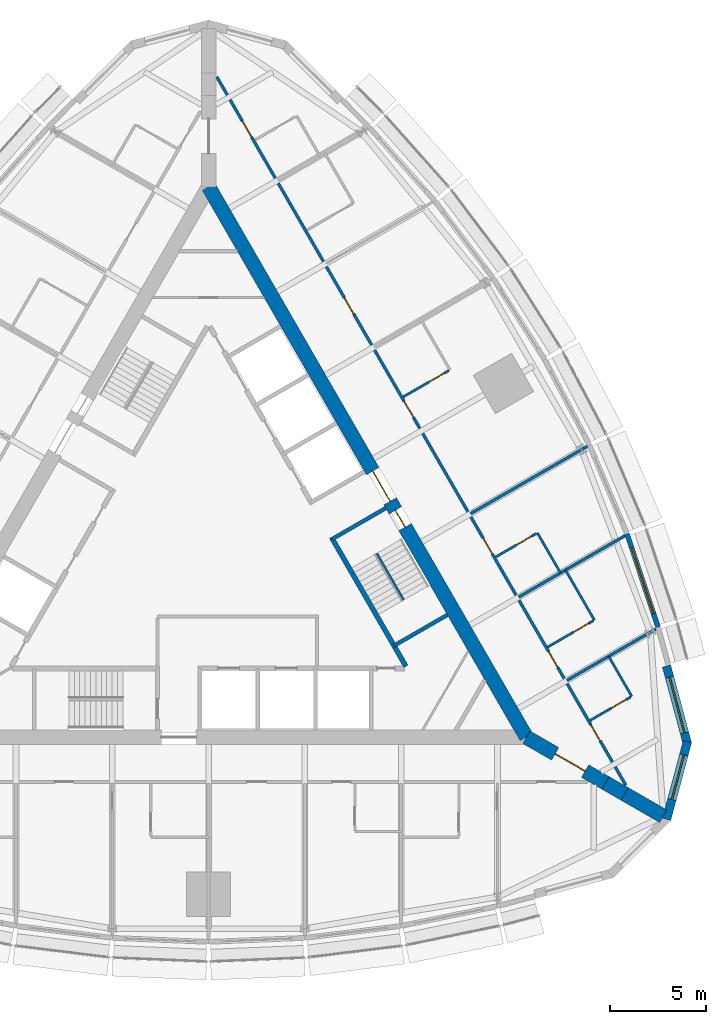
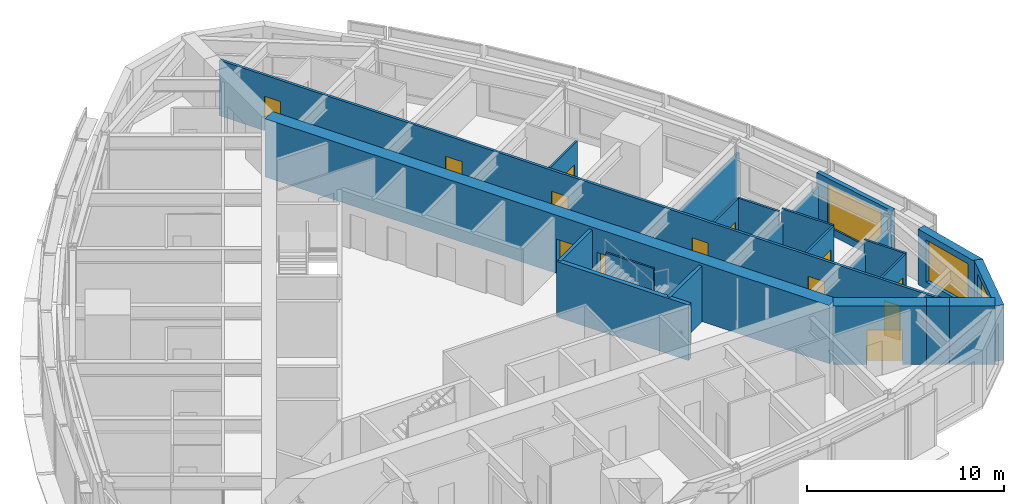
# One storey, part 12 of 15: 22 walls, 13 doors, 3 windows, 16 openings.
"""IFC4 building model written with IfcOpenShell, lengths in metres."""

import ifcopenshell
import ifcopenshell.guid

model = None  # the IFC model being written
_history = None  # IfcOwnerHistory: only IFC2X3 demands one
_inside = {}  # id of a spatial element -> (the spatial element, [elements in it])
_under = {}  # id of a project, library or spatial element -> (it, [spatial elements below it])
_declared = {}  # id of a project -> (the project, [libraries it declares])
_typed = {}  # id of a type object -> (the type object, [elements of that type])
_made_of = {}  # id of a material, layer set ... -> (it, [elements and type objects made of it])


def new_model(schema):
    """Start an empty IFC model of exactly this schema.

    Asked for "IFC4X3", IfcOpenShell would pick the latest addendum, in which some entities
    have other attributes; the version numbers below select the first issue.
    IFC2X3 requires an IfcOwnerHistory on every rooted entity: one is made here for all.
    """
    global model, _history
    if schema == "IFC4X3":
        model = ifcopenshell.file(schema_version=(4, 3, 0, 0))
    else:
        model = ifcopenshell.file(schema=schema)
    _inside.clear()
    _under.clear()
    _declared.clear()
    _typed.clear()
    _made_of.clear()
    _history = None
    if model.schema == "IFC2X3":
        org = make("IfcOrganization", Name="unknown")
        user = make(
            "IfcPersonAndOrganization",
            ThePerson=make("IfcPerson", FamilyName="unknown"),
            TheOrganization=org,
        )
        app = make(
            "IfcApplication",
            ApplicationDeveloper=org,
            Version="unknown",
            ApplicationFullName="unknown",
            ApplicationIdentifier="unknown",
        )
        _history = make(
            "IfcOwnerHistory",
            OwningUser=user,
            OwningApplication=app,
            ChangeAction="ADDED",
            CreationDate=0,
        )
    return model


def make(cls, **values):
    """One entity of the class cls with the attributes given. An attribute that is None is left unset."""
    return model.create_entity(
        cls, **{name: value for name, value in values.items() if value is not None}
    )


def rooted(cls, **values):
    """An entity with a GlobalId (a new one), such as an element, a storey or a relation."""
    return make(cls, GlobalId=ifcopenshell.guid.new(), OwnerHistory=_history, **values)


def si_unit(unit_type, name, prefix=None):
    """IfcSIUnit, for example si_unit("LENGTHUNIT", "METRE", prefix="MILLI")."""
    return make("IfcSIUnit", UnitType=unit_type, Prefix=prefix, Name=name)


def assignment(units):
    """IfcUnitAssignment: the units of a project."""
    return None if units is None else make("IfcUnitAssignment", Units=units)


def point(xyz):
    """IfcCartesianPoint."""
    return None if xyz is None else make("IfcCartesianPoint", Coordinates=xyz)


def direction(xyz):
    """IfcDirection."""
    return None if xyz is None else make("IfcDirection", DirectionRatios=xyz)


def frame(location, z_axis=None, x_axis=None):
    """IfcAxis2Placement3D, a coordinate frame: its origin and axes. An axis left out is left unset."""
    return make(
        "IfcAxis2Placement3D",
        Location=point(location),
        Axis=direction(z_axis),
        RefDirection=direction(x_axis),
    )


def frame_2d(location, x_axis=None):
    """IfcAxis2Placement2D, a coordinate frame in the plane: its origin and x axis."""
    return make(
        "IfcAxis2Placement2D", Location=point(location), RefDirection=direction(x_axis)
    )


def origin():
    """The frame at (0, 0, 0) with its axes left unset."""
    return frame((0.0, 0.0, 0.0))


def place(relative_to, where):
    """IfcLocalPlacement: puts the frame where relative to a parent placement (None: the world)."""
    return make(
        "IfcLocalPlacement", PlacementRelTo=relative_to, RelativePlacement=where
    )


def context(
    kind, dimensions, precision=None, world=None, true_north=None, identifier=None
):
    """IfcGeometricRepresentationContext, for example the 3D "Model" context."""
    return make(
        "IfcGeometricRepresentationContext",
        ContextIdentifier=identifier,
        ContextType=kind,
        CoordinateSpaceDimension=dimensions,
        Precision=precision,
        WorldCoordinateSystem=world,
        TrueNorth=true_north,
    )


def subcontext(parent, identifier, kind, view, scale=None):
    """IfcGeometricRepresentationSubContext, for example "Body" below "Model"."""
    return make(
        "IfcGeometricRepresentationSubContext",
        ContextIdentifier=identifier,
        ContextType=kind,
        ParentContext=parent,
        TargetScale=scale,
        TargetView=view,
    )


def project(units=None, contexts=None):
    """IfcProject with its units and contexts."""
    return rooted(
        "IfcProject",
        Name="project",
        RepresentationContexts=contexts,
        UnitsInContext=assignment(units),
    )


def spatial(cls, under=None, at=None, **own):
    """A site, building, storey or space (cls), placed at a placement, below another one or the project."""
    s = rooted(cls, ObjectPlacement=at, **own)
    if under is not None:
        _under.setdefault(under.id(), (under, []))[1].append(s)
    return s


def polyline(points):
    """IfcPolyline through the points."""
    return make("IfcPolyline", Points=[point(p) for p in points])


def profile(cls, at=None, kind="AREA", **sizes):
    """A parametric profile (cls). Its sizes go by their IFC names, for example OverallWidth=200.0."""
    return make(cls, ProfileType=kind, Position=at, **sizes)


def rectangle(**sizes):
    """IfcRectangleProfileDef."""
    return profile("IfcRectangleProfileDef", **sizes)


def outline(outer, holes=None, kind="AREA"):
    """IfcArbitraryClosedProfileDef: a profile drawn as a closed curve; with holes, ...WithVoids."""
    if holes is None:
        return make("IfcArbitraryClosedProfileDef", ProfileType=kind, OuterCurve=outer)
    return make(
        "IfcArbitraryProfileDefWithVoids",
        ProfileType=kind,
        OuterCurve=outer,
        InnerCurves=holes,
    )


def extrude(swept, where, along, depth):
    """IfcExtrudedAreaSolid: the profile swept, set in the frame where, extruded along a direction by depth."""
    return make(
        "IfcExtrudedAreaSolid",
        SweptArea=swept,
        Position=where,
        ExtrudedDirection=direction(along),
        Depth=depth,
    )


def shape(context_of_items, identifier, shape_type, items):
    """IfcShapeRepresentation: the items that make up one representation, for example the "Body"."""
    return make(
        "IfcShapeRepresentation",
        ContextOfItems=context_of_items,
        RepresentationIdentifier=identifier,
        RepresentationType=shape_type,
        Items=items,
    )


def material(Name=None, Category=None):
    """IfcMaterial."""
    return make("IfcMaterial", Name=Name, Category=Category)


def layer(
    of_material, thickness, ventilated=None, Name=None, Category=None, Priority=None
):
    """IfcMaterialLayer: one layer of a wall or slab, of a material (None: an air gap)."""
    return make(
        "IfcMaterialLayer",
        Material=of_material,
        LayerThickness=thickness,
        IsVentilated=ventilated,
        Name=Name,
        Category=Category,
        Priority=Priority,
    )


def layer_set(layers, Name=None):
    """IfcMaterialLayerSet."""
    return make("IfcMaterialLayerSet", MaterialLayers=layers, LayerSetName=Name)


def made_of(thing, what):
    """Note that an element or type object is made of a material, layer set ...; save() writes the relation."""
    if what is not None:
        _made_of.setdefault(what.id(), (what, []))[1].append(thing)
    return thing


def type_object(cls, material=None, **own):
    """A type object (cls), such as IfcWallType, which elements share."""
    return made_of(rooted(cls, **own), material)


def element(
    cls,
    number,
    at=None,
    inside=None,
    cuts=None,
    type_object=None,
    material=None,
    context=None,
    identifier="Body",
    shape_type=None,
    held_by="IfcProductDefinitionShape",
    body=None,
    shapes=None,
    **own,
):
    """One element of the class cls, such as IfcWall. Its Tag is "e" and its number.

    at: its placement. inside: the storey or other place that contains it. cuts: it is an
    opening in that element (IfcRelVoidsElement). A single representation is given by context,
    identifier, shape_type and body (its items); several are given by shapes. held_by: the class
    of the entity that holds the representations. save() writes the other relations.
    """
    e = rooted(cls, Tag="e%d" % number, ObjectPlacement=at, **own)
    if body is not None:
        shapes = [shape(context, identifier, shape_type, body)]
    if shapes is not None:
        e.Representation = make(held_by, Representations=shapes)
    if inside is not None:
        _inside.setdefault(inside.id(), (inside, []))[1].append(e)
    if cuts is not None:
        rooted(
            "IfcRelVoidsElement", RelatingBuildingElement=cuts, RelatedOpeningElement=e
        )
    if type_object is not None:
        _typed.setdefault(type_object.id(), (type_object, []))[1].append(e)
    return made_of(e, material)


def fill(opening, filler):
    """IfcRelFillsElement: the door or window that sits in an opening."""
    return rooted(
        "IfcRelFillsElement",
        RelatingOpeningElement=opening,
        RelatedBuildingElement=filler,
    )


def aggregate(whole, parts):
    """IfcRelAggregates: a whole, such as a stair, and the parts it consists of."""
    return rooted("IfcRelAggregates", RelatingObject=whole, RelatedObjects=parts)


def save(model, path):
    """Write the relations noted so far, then the file.

    IfcRelAggregates (storeys below a building ...), IfcRelContainedInSpatialStructure (elements
    in a storey), IfcRelDefinesByType, IfcRelAssociatesMaterial and IfcRelDeclares: one each for
    every whole, place, type object, material and project.
    """
    for whole, parts in _under.values():
        aggregate(whole, parts)
    for where, things in _inside.values():
        rooted(
            "IfcRelContainedInSpatialStructure",
            RelatedElements=things,
            RelatingStructure=where,
        )
    for kind, things in _typed.values():
        rooted("IfcRelDefinesByType", RelatedObjects=things, RelatingType=kind)
    for what, things in _made_of.values():
        rooted("IfcRelAssociatesMaterial", RelatedObjects=things, RelatingMaterial=what)
    for by, libraries in _declared.values():
        rooted("IfcRelDeclares", RelatingContext=by, RelatedDefinitions=libraries)
    model.write(path)


model = new_model("IFC4")

# Units and contexts
model_context = context("Model", 3, precision=1e-05, world=origin(), true_north=direction((0.0, 1.0)))
body_context = subcontext(model_context, "Body", "Model", "MODEL_VIEW")
ifc_project = project(units=[si_unit("LENGTHUNIT", "METRE"), si_unit("AREAUNIT", "SQUARE_METRE"), si_unit("VOLUMEUNIT", "CUBIC_METRE"), si_unit("PLANEANGLEUNIT", "RADIAN"), si_unit("MASSUNIT", "GRAM", prefix="KILO")], contexts=[model_context])

# Site, building, storey
site_placement = place(None, origin())
site = spatial("IfcSite", under=ifc_project, at=site_placement, CompositionType="ELEMENT")
building_placement = place(site_placement, origin())
building = spatial("IfcBuilding", under=site, at=building_placement, Name="Trikona Tower", CompositionType="ELEMENT")
storey_placement = place(building_placement, frame((0.0, 0.0, 218.89990234375)))
storey = spatial("IfcBuildingStorey", under=building, at=storey_placement, Name="L58", CompositionType="ELEMENT", Elevation=218.89990234375)

# Wall
ifc_material_1 = material(Name="Metal stud and cement board", Category="gypsum")
ifc_layer_1 = layer(ifc_material_1, 0.1201171875)
ifc_layer_set_1 = layer_set([ifc_layer_1], Name="Bathroom wall 120")
wall_type_1 = type_object("IfcWallType", Name="Bathroom wall 120", PredefinedType="PLUMBINGWALL", material=ifc_layer_set_1)
wall_1_placement = place(storey_placement, frame((21.972900390625, -7.40576171875, 0.0), z_axis=(0.0, 0.0, 1.0), x_axis=(-0.499957262057, 0.866050077142, 0.0)))
element("IfcWall", 1, at=wall_1_placement, inside=storey, type_object=wall_type_1, Name="Bathroom wall 5805", PredefinedType="PLUMBINGWALL", context=body_context, shape_type="SweptSolid", body=[
    extrude(rectangle(XDim=2.400146484375, YDim=0.1201171875, at=frame_2d((1.2001953125, 0.0))), origin(), (0.0, 0.0, 1.0), 3.43505859375),
])

# Wall, opening, door
wall_2_placement = place(storey_placement, frame((19.807861328125, -8.65576171875, 0.0), z_axis=(0.0, 0.0, 1.0), x_axis=(0.866023955769, 0.500002508028, 0.0)))
wall_2 = element("IfcWall", 2, at=wall_2_placement, inside=storey, type_object=wall_type_1, Name="Bathroom wall 5805", PredefinedType="PLUMBINGWALL", context=body_context, shape_type="SweptSolid", body=[
    extrude(rectangle(XDim=2.43994140625, YDim=0.1201171875, at=frame_2d((1.219970703125, 0.0))), origin(), (0.0, 0.0, 1.0), 3.43505859375),
])
opening_1_placement = place(wall_2_placement, frame((1.25, 0.0, 0.0)))
opening_1 = element("IfcOpeningElement", 3, at=opening_1_placement, cuts=wall_2, Name="Opening D2", PredefinedType="OPENING", context=body_context, shape_type="SweptSolid", body=[
    extrude(rectangle(XDim=0.89990234375, YDim=2.1298828125, at=frame_2d((0.449951171875, 1.06494140625))), frame((0.0, 0.070068359375, 0.0), z_axis=(0.0, -1.0, 0.0), x_axis=(1.0, 0.0, 0.0)), (0.0, 0.0, 1.0), 0.14013671875),
])
ifc_material_2 = material(Name="Steel door frame with solid-core timber leaf", Category="steel")
door_type_1 = type_object("IfcDoorType", Name="Bathroom door 900x2130", OperationType="SLIDING_TO_LEFT", PredefinedType="DOOR", material=ifc_material_2)
door_1_placement = place(opening_1_placement, origin())
door_1 = element("IfcDoor", 4, at=door_1_placement, inside=storey, type_object=door_type_1, Name="Bathroom door 5805", OperationType="SLIDING_TO_LEFT", OverallHeight=2.1298828125, OverallWidth=0.89990234375, PredefinedType="DOOR", context=body_context, shape_type="SweptSolid", body=[
    extrude(rectangle(XDim=0.89990234375, YDim=2.1298828125, at=frame_2d((0.449951171875, 1.06494140625))), frame((0.0, 0.02490234375, 0.0), z_axis=(0.0, -1.0, 0.0), x_axis=(1.0, 0.0, 0.0)), (0.0, 0.0, 1.0), 0.050048828125),
])
fill(opening_1, door_1)

# Wall
wall_3_placement = place(storey_placement, frame((20.03271484375, -3.4453125, 0.0), z_axis=(0.0, 0.0, 1.0), x_axis=(-0.499990139034, 0.866031096941, 0.0)))
element("IfcWall", 5, at=wall_3_placement, inside=storey, type_object=wall_type_1, Name="Bathroom wall 5806", PredefinedType="PLUMBINGWALL", context=body_context, shape_type="SweptSolid", body=[
    extrude(rectangle(XDim=3.0, YDim=0.1201171875, at=frame_2d((1.5, 0.0))), origin(), (0.0, 0.0, 1.0), 3.43505859375),
])

# Wall, opening, door
wall_4_placement = place(storey_placement, frame((17.60791015625, -4.84521484375, 0.0), z_axis=(0.0, 0.0, 1.0), x_axis=(0.865997131366, 0.500048966069, 0.0)))
wall_4 = element("IfcWall", 6, at=wall_4_placement, inside=storey, type_object=wall_type_1, Name="Bathroom wall 5806", PredefinedType="PLUMBINGWALL", context=body_context, shape_type="SweptSolid", body=[
    extrude(rectangle(XDim=2.739990234375, YDim=0.1201171875, at=frame_2d((1.3701171875, 0.0))), origin(), (0.0, 0.0, 1.0), 3.43505859375),
])
opening_2_placement = place(wall_4_placement, frame((1.550048828125, 0.0, 0.0)))
opening_2 = element("IfcOpeningElement", 7, at=opening_2_placement, cuts=wall_4, Name="Opening D2", PredefinedType="OPENING", context=body_context, shape_type="SweptSolid", body=[
    extrude(rectangle(XDim=0.89990234375, YDim=2.1298828125, at=frame_2d((0.449951171875, 1.06494140625))), frame((0.0, 0.070068359375, 0.0), z_axis=(0.0, -1.0, 0.0), x_axis=(1.0, 0.0, 0.0)), (0.0, 0.0, 1.0), 0.14013671875),
])
door_2_placement = place(opening_2_placement, origin())
door_2 = element("IfcDoor", 8, at=door_2_placement, inside=storey, type_object=door_type_1, Name="Bathroom door 5806", OperationType="SLIDING_TO_LEFT", OverallHeight=2.1298828125, OverallWidth=0.89990234375, PredefinedType="DOOR", context=body_context, shape_type="SweptSolid", body=[
    extrude(rectangle(XDim=0.89990234375, YDim=2.1298828125, at=frame_2d((0.449951171875, 1.06494140625))), frame((0.0, 0.02490234375, 0.0), z_axis=(0.0, -1.0, 0.0), x_axis=(1.0, 0.0, 0.0)), (0.0, 0.0, 1.0), 0.050048828125),
])
fill(opening_2, door_2)

# Wall
wall_5_placement = place(storey_placement, frame((18.27294921875, -0.9970703125, 0.0), z_axis=(0.0, 0.0, 1.0), x_axis=(-0.500001309137, 0.866024647952, 0.0)))
element("IfcWall", 9, at=wall_5_placement, inside=storey, type_object=wall_type_1, Name="Bathroom wall 5807", PredefinedType="PLUMBINGWALL", context=body_context, shape_type="SweptSolid", body=[
    extrude(rectangle(XDim=2.39990234375, YDim=0.1201171875, at=frame_2d((1.199951171875, 0.0))), origin(), (0.0, 0.0, 1.0), 3.43505859375),
])

# Wall, opening, door
wall_6_placement = place(storey_placement, frame((14.907958984375, -0.168701171875, 0.0), z_axis=(0.0, 0.0, 1.0), x_axis=(0.866023955769, 0.500002508028, 0.0)))
wall_6 = element("IfcWall", 10, at=wall_6_placement, inside=storey, type_object=wall_type_1, Name="Bathroom wall 5807", PredefinedType="PLUMBINGWALL", context=body_context, shape_type="SweptSolid", body=[
    extrude(rectangle(XDim=2.43994140625, YDim=0.1201171875, at=frame_2d((1.219970703125, 0.0))), origin(), (0.0, 0.0, 1.0), 3.43505859375),
])
opening_3_placement = place(wall_6_placement, frame((1.25, 0.0, 0.0)))
opening_3 = element("IfcOpeningElement", 11, at=opening_3_placement, cuts=wall_6, Name="Opening D2", PredefinedType="OPENING", context=body_context, shape_type="SweptSolid", body=[
    extrude(rectangle(XDim=0.89990234375, YDim=2.1298828125, at=frame_2d((0.449951171875, 1.06494140625))), frame((0.0, 0.070068359375, 0.0), z_axis=(0.0, -1.0, 0.0), x_axis=(1.0, 0.0, 0.0)), (0.0, 0.0, 1.0), 0.14013671875),
])
door_3_placement = place(opening_3_placement, origin())
door_3 = element("IfcDoor", 12, at=door_3_placement, inside=storey, type_object=door_type_1, Name="Bathroom door 5807", OperationType="SLIDING_TO_LEFT", OverallHeight=2.1298828125, OverallWidth=0.89990234375, PredefinedType="DOOR", context=body_context, shape_type="SweptSolid", body=[
    extrude(rectangle(XDim=0.89990234375, YDim=2.1298828125, at=frame_2d((0.449951171875, 1.06494140625))), frame((0.0, 0.02490234375, 0.0), z_axis=(0.0, -1.0, 0.0), x_axis=(1.0, 0.0, 0.0)), (0.0, 0.0, 1.0), 0.050048828125),
])
fill(opening_3, door_3)

wall_7_placement = place(storey_placement, frame((10.10791015625, 8.145263671875, 0.0), z_axis=(0.0, 0.0, 1.0), x_axis=(0.866035715982, 0.499982138324, 0.0)))
wall_7 = element("IfcWall", 13, at=wall_7_placement, inside=storey, type_object=wall_type_1, Name="Bathroom wall 5808", PredefinedType="PLUMBINGWALL", context=body_context, shape_type="SweptSolid", body=[
    extrude(rectangle(XDim=2.73974609375, YDim=0.1201171875, at=frame_2d((1.369873046875, 0.0))), origin(), (0.0, 0.0, 1.0), 3.43505859375),
])
opening_4_placement = place(wall_7_placement, frame((1.550048828125, 0.0, 0.0)))
opening_4 = element("IfcOpeningElement", 14, at=opening_4_placement, cuts=wall_7, Name="Opening D2", PredefinedType="OPENING", context=body_context, shape_type="SweptSolid", body=[
    extrude(rectangle(XDim=0.89990234375, YDim=2.1298828125, at=frame_2d((0.449951171875, 1.06494140625))), frame((0.0, 0.070068359375, 0.0), z_axis=(0.0, -1.0, 0.0), x_axis=(1.0, 0.0, 0.0)), (0.0, 0.0, 1.0), 0.14013671875),
])
door_4_placement = place(opening_4_placement, origin())
door_4 = element("IfcDoor", 15, at=door_4_placement, inside=storey, type_object=door_type_1, Name="Bathroom door 5808", OperationType="SLIDING_TO_LEFT", OverallHeight=2.1298828125, OverallWidth=0.89990234375, PredefinedType="DOOR", context=body_context, shape_type="SweptSolid", body=[
    extrude(rectangle(XDim=0.89990234375, YDim=2.1298828125, at=frame_2d((0.449951171875, 1.06494140625))), frame((0.0, 0.02490234375, 0.0), z_axis=(0.0, -1.0, 0.0), x_axis=(1.0, 0.0, 0.0)), (0.0, 0.0, 1.0), 0.050048828125),
])
fill(opening_4, door_4)

# Wall, opening, window
ifc_material_3 = material(Name="Brick-faced precast concrete", Category="masonry")
ifc_layer_2 = layer(ifc_material_3, 0.449951171875)
ifc_layer_set_2 = layer_set([ifc_layer_2], Name="Brick-faced corner wall 450")
wall_type_2 = type_object("IfcWallType", Name="Brick-faced corner wall 450", PredefinedType="SOLIDWALL", material=ifc_layer_set_2)
wall_8_placement = place(storey_placement, frame((23.78271484375, -13.798095703125, 0.0), z_axis=(0.0, 0.0, 1.0), x_axis=(0.258799282522, 0.96593112144, 0.0)))
wall_8 = element("IfcWall", 16, at=wall_8_placement, inside=storey, type_object=wall_type_2, Name="External wall L58-10", PredefinedType="SOLIDWALL", context=body_context, shape_type="SweptSolid", body=[
    extrude(outline(polyline([(4.183837890625, 0.22509765625), (0.5087890625, 0.22509765625), (0.478759765625, 0.112548828125), (0.059326171875, 0.22509765625), (0.0, 0.22509765625), (0.0, -0.22509765625), (4.183837890625, -0.22509765625), (4.183837890625, 0.22509765625)])), origin(), (0.0, 0.0, 1.0), 3.43505859375),
])
opening_5_placement = place(wall_8_placement, frame((1.0712890625, 0.0, 0.449951171875)))
opening_5 = element("IfcOpeningElement", 17, at=opening_5_placement, cuts=wall_8, Name="Opening W2426", PredefinedType="OPENING", context=body_context, shape_type="SweptSolid", body=[
    extrude(rectangle(XDim=2.39990234375, YDim=2.60009765625, at=frame_2d((1.199951171875, 1.300048828125))), frame((0.0, 0.23486328125, 0.0), z_axis=(0.0, -1.0, 0.0), x_axis=(1.0, 0.0, 0.0)), (0.0, 0.0, 1.0), 0.469970703125),
])
ifc_material_4 = material(Name="Aluminium-framed double glazing", Category="aluminium")
window_type_1 = type_object("IfcWindowType", Name="Window 2400x2600", PartitioningType="SINGLE_PANEL", PredefinedType="WINDOW", material=ifc_material_4)
window_1_placement = place(opening_5_placement, origin())
window_1 = element("IfcWindow", 18, at=window_1_placement, inside=storey, type_object=window_type_1, Name="Window 5805", OverallHeight=2.60009765625, OverallWidth=2.39990234375, PartitioningType="SINGLE_PANEL", PredefinedType="WINDOW", context=body_context, shape_type="SweptSolid", body=[
    extrude(rectangle(XDim=2.39990234375, YDim=2.60009765625, at=frame_2d((1.199951171875, 1.300048828125))), frame((0.0, 0.030029296875, 0.0), z_axis=(0.0, -1.0, 0.0), x_axis=(1.0, 0.0, 0.0)), (0.0, 0.0, 1.0), 0.06005859375),
])
fill(opening_5, window_1)

wall_9_placement = place(storey_placement, frame((24.865478515625, -9.873291015625, 0.0), z_axis=(0.0, 0.0, 1.0), x_axis=(-0.258784695888, 0.965935029479, 0.0)))
wall_9 = element("IfcWall", 19, at=wall_9_placement, inside=storey, type_object=wall_type_2, Name="External wall L58-11", PredefinedType="SOLIDWALL", context=body_context, shape_type="SweptSolid", body=[
    extrude(rectangle(XDim=4.18408203125, YDim=0.449951171875, at=frame_2d((2.092041015625, 0.0))), origin(), (0.0, 0.0, 1.0), 3.43505859375),
])
opening_6_placement = place(wall_9_placement, frame((0.592041015625, 0.0, 0.449951171875)))
opening_6 = element("IfcOpeningElement", 20, at=opening_6_placement, cuts=wall_9, Name="Opening W3026", PredefinedType="OPENING", context=body_context, shape_type="SweptSolid", body=[
    extrude(rectangle(XDim=3.0, YDim=2.60009765625, at=frame_2d((1.5, 1.300048828125))), frame((0.0, 0.23486328125, 0.0), z_axis=(0.0, -1.0, 0.0), x_axis=(1.0, 0.0, 0.0)), (0.0, 0.0, 1.0), 0.469970703125),
])
ifc_material_5 = material(Name="Aluminium-framed double glazing", Category="aluminium")
window_type_2 = type_object("IfcWindowType", Name="Window 3000x2600", PartitioningType="SINGLE_PANEL", PredefinedType="WINDOW", material=ifc_material_5)
window_2_placement = place(opening_6_placement, origin())
window_2 = element("IfcWindow", 21, at=window_2_placement, inside=storey, type_object=window_type_2, Name="Window 5805", OverallHeight=2.60009765625, OverallWidth=3.0, PartitioningType="SINGLE_PANEL", PredefinedType="WINDOW", context=body_context, shape_type="SweptSolid", body=[
    extrude(rectangle(XDim=3.0, YDim=2.60009765625, at=frame_2d((1.5, 1.300048828125))), frame((0.0, 0.030029296875, 0.0), z_axis=(0.0, -1.0, 0.0), x_axis=(1.0, 0.0, 0.0)), (0.0, 0.0, 1.0), 0.06005859375),
])
fill(opening_6, window_2)

# Wall, opening, door
ifc_material_6 = material(Name="Concrete f'c 10000 psi", Category="concrete")
ifc_layer_3 = layer(ifc_material_6, 0.75)
ifc_layer_set_3 = layer_set([ifc_layer_3], Name="Buttress wall 750")
wall_type_3 = type_object("IfcWallType", Name="Buttress wall 750", PredefinedType="SHEAR", material=ifc_layer_set_3)
wall_10_placement = place(storey_placement, frame((16.5, -9.5263671875, 0.0), z_axis=(0.0, 0.0, 1.0), x_axis=(0.866031398331, -0.499989616998, 0.0)))
wall_10 = element("IfcWall", 22, at=wall_10_placement, inside=storey, type_object=wall_type_3, Name="Buttress wall 1", PredefinedType="SHEAR", context=body_context, shape_type="SweptSolid", body=[
    extrude(rectangle(XDim=4.74609375, YDim=0.75, at=frame_2d((2.373046875, 0.0))), origin(), (0.0, 0.0, 1.0), 3.60009765625),
])
opening_7_placement = place(wall_10_placement, frame((1.72509765625, 0.0, 0.0)))
opening_7 = element("IfcOpeningElement", 23, at=opening_7_placement, cuts=wall_10, Name="Opening D10", PredefinedType="OPENING", context=body_context, shape_type="SweptSolid", body=[
    extrude(rectangle(XDim=1.800048828125, YDim=2.1298828125, at=frame_2d((0.89990234375, 1.06494140625))), frame((0.0, 0.385009765625, 0.0), z_axis=(0.0, -1.0, 0.0), x_axis=(1.0, 0.0, 0.0)), (0.0, 0.0, 1.0), 0.77001953125),
])
ifc_material_7 = material(Name="Hollow metal door and frame", Category="steel")
door_type_2 = type_object("IfcDoorType", Name="Cross-corridor door pair 1800x2130", OperationType="DOUBLE_DOOR_DOUBLE_SWING", PredefinedType="DOOR", material=ifc_material_7)
door_5_placement = place(opening_7_placement, origin())
door_5 = element("IfcDoor", 24, at=door_5_placement, inside=storey, type_object=door_type_2, Name="Cross-corridor door 1", OperationType="DOUBLE_DOOR_DOUBLE_SWING", OverallHeight=2.1298828125, OverallWidth=1.800048828125, PredefinedType="DOOR", context=body_context, shape_type="SweptSolid", body=[
    extrude(rectangle(XDim=1.800048828125, YDim=2.1298828125, at=frame_2d((0.89990234375, 1.06494140625))), frame((0.0, 0.02490234375, 0.0), z_axis=(0.0, -1.0, 0.0), x_axis=(1.0, 0.0, 0.0)), (0.0, 0.0, 1.0), 0.050048828125),
])
fill(opening_7, door_5)

# Walls
wall_11_placement = place(storey_placement, frame((20.6103515625, -11.8994140625, 0.0), z_axis=(0.0, 0.0, 1.0), x_axis=(0.866009537788, -0.500027479704, 0.0)))
element("IfcWall", 25, at=wall_11_placement, inside=storey, type_object=wall_type_3, Name="Buttress wall 1 part 2", PredefinedType="SHEAR", context=body_context, shape_type="SweptSolid", body=[
    extrude(rectangle(XDim=1.15478515625, YDim=0.75, at=frame_2d((0.577392578125, 0.0))), origin(), (0.0, 0.0, 1.0), 3.60009765625),
])
wall_12_placement = place(storey_placement, frame((21.6103515625, -12.476806640625, 0.0), z_axis=(0.0, 0.0, 1.0), x_axis=(0.866055313784, -0.499948190782, 0.0)))
element("IfcWall", 26, at=wall_12_placement, inside=storey, type_object=wall_type_3, Name="Buttress wall 1 part 3", PredefinedType="SHEAR", context=body_context, shape_type="SweptSolid", body=[
    extrude(rectangle(XDim=2.309326171875, YDim=0.75, at=frame_2d((1.15478515625, 0.0))), origin(), (0.0, 0.0, 1.0), 3.60009765625),
])

# Wall, openings, doors
ifc_material_8 = material(Name="Concrete f'c 10000 psi", Category="concrete")
ifc_layer_4 = layer(ifc_material_8, 0.75)
ifc_layer_set_4 = layer_set([ifc_layer_4], Name="Core wall 750")
wall_type_4 = type_object("IfcWallType", Name="Core wall 750", PredefinedType="SHEAR", material=ifc_layer_set_4)
wall_13_placement = place(storey_placement, frame((16.5, -9.5263671875, 0.0), z_axis=(0.0, 0.0, 1.0), x_axis=(-0.499999749417, 0.866025548458, 0.0)))
wall_13 = element("IfcWall", 27, at=wall_13_placement, inside=storey, type_object=wall_type_4, Name="Core wall B", PredefinedType="SHEAR", context=body_context, shape_type="SweptSolid", body=[
    extrude(rectangle(XDim=33.0, YDim=0.75, at=frame_2d((16.5, 0.0))), origin(), (0.0, 0.0, 1.0), 3.60009765625),
])
opening_8_placement = place(wall_13_placement, frame((14.14990234375, 0.0, 0.0)))
opening_8 = element("IfcOpeningElement", 28, at=opening_8_placement, cuts=wall_13, Name="Opening D6", PredefinedType="OPENING", context=body_context, shape_type="SweptSolid", body=[
    extrude(rectangle(XDim=1.800048828125, YDim=2.1298828125, at=frame_2d((0.89990234375, 1.06494140625))), frame((0.0, 0.385009765625, 0.0), z_axis=(0.0, -1.0, 0.0), x_axis=(1.0, 0.0, 0.0)), (0.0, 0.0, 1.0), 0.77001953125),
])
opening_9_placement = place(wall_13_placement, frame((12.60009765625, 0.0, 0.0)))
opening_9 = element("IfcOpeningElement", 29, at=opening_9_placement, cuts=wall_13, Name="Opening D5", PredefinedType="OPENING", context=body_context, shape_type="SweptSolid", body=[
    extrude(rectangle(XDim=1.0, YDim=2.1298828125, at=frame_2d((0.5, 1.06494140625))), frame((0.0, 0.385009765625, 0.0), z_axis=(0.0, -1.0, 0.0), x_axis=(1.0, 0.0, 0.0)), (0.0, 0.0, 1.0), 0.77001953125),
])
ifc_material_9 = material(Name="Hollow metal door and frame", Category="steel")
door_type_3 = type_object("IfcDoorType", Name="Lobby door pair 1800x2130", OperationType="DOUBLE_DOOR_SINGLE_SWING", PredefinedType="DOOR", material=ifc_material_9)
door_6_placement = place(opening_8_placement, origin())
door_6 = element("IfcDoor", 30, at=door_6_placement, inside=storey, type_object=door_type_3, Name="Lift lobby door B", OperationType="DOUBLE_DOOR_SINGLE_SWING", OverallHeight=2.1298828125, OverallWidth=1.800048828125, PredefinedType="DOOR", context=body_context, shape_type="SweptSolid", body=[
    extrude(rectangle(XDim=1.800048828125, YDim=2.1298828125, at=frame_2d((0.89990234375, 1.06494140625))), frame((0.0, 0.02490234375, 0.0), z_axis=(0.0, -1.0, 0.0), x_axis=(1.0, 0.0, 0.0)), (0.0, 0.0, 1.0), 0.050048828125),
])
fill(opening_8, door_6)
ifc_material_10 = material(Name="Hollow metal door and frame", Category="steel")
door_type_4 = type_object("IfcDoorType", Name="Stair door 1000x2130", OperationType="SINGLE_SWING_LEFT", PredefinedType="DOOR", material=ifc_material_10)
door_7_placement = place(opening_9_placement, origin())
door_7 = element("IfcDoor", 31, at=door_7_placement, inside=storey, type_object=door_type_4, Name="Stair B door", OperationType="SINGLE_SWING_RIGHT", OverallHeight=2.1298828125, OverallWidth=1.0, PredefinedType="DOOR", context=body_context, shape_type="SweptSolid", body=[
    extrude(rectangle(XDim=1.0, YDim=2.1298828125, at=frame_2d((0.5, 1.06494140625))), frame((0.0, 0.02490234375, 0.0), z_axis=(0.0, -1.0, 0.0), x_axis=(1.0, 0.0, 0.0)), (0.0, 0.0, 1.0), 0.050048828125),
])
fill(opening_9, door_7)

ifc_material_11 = material(Name="Metal stud and gypsum board, 1-hour", Category="gypsum")
ifc_layer_5 = layer(ifc_material_11, 0.14990234375)
ifc_layer_set_5 = layer_set([ifc_layer_5], Name="Corridor wall 150")
wall_type_5 = type_object("IfcWallType", Name="Corridor wall 150", PredefinedType="PARTITIONING", material=ifc_layer_set_5)
wall_14_placement = place(storey_placement, frame((21.660888671875, -12.01513671875, 0.0), z_axis=(0.0, 0.0, 1.0), x_axis=(-0.500000605707, 0.866025054079, 0.0)))
wall_14 = element("IfcWall", 32, at=wall_14_placement, inside=storey, type_object=wall_type_5, Name="Corridor wall L58-2", PredefinedType="PARTITIONING", context=body_context, shape_type="SweptSolid", body=[
    extrude(rectangle(XDim=42.4716796875, YDim=0.14990234375, at=frame_2d((21.23583984375, 0.0))), origin(), (0.0, 0.0, 1.0), 3.43505859375),
])
opening_10_placement = place(wall_14_placement, frame((2.660888671875, 0.0, 0.0)))
opening_10 = element("IfcOpeningElement", 33, at=opening_10_placement, cuts=wall_14, Name="Opening D1", PredefinedType="OPENING", context=body_context, shape_type="SweptSolid", body=[
    extrude(rectangle(XDim=0.949951171875, YDim=2.1298828125, at=frame_2d((0.47509765625, 1.06494140625))), frame((0.0, 0.0849609375, 0.0), z_axis=(0.0, -1.0, 0.0), x_axis=(1.0, 0.0, 0.0)), (0.0, 0.0, 1.0), 0.169921875),
])
opening_11_placement = place(wall_14_placement, frame((7.060791015625, 0.0, 0.0)))
opening_11 = element("IfcOpeningElement", 34, at=opening_11_placement, cuts=wall_14, Name="Opening D1", PredefinedType="OPENING", context=body_context, shape_type="SweptSolid", body=[
    extrude(rectangle(XDim=0.949951171875, YDim=2.1298828125, at=frame_2d((0.47509765625, 1.06494140625))), frame((0.0, 0.0849609375, 0.0), z_axis=(0.0, -1.0, 0.0), x_axis=(1.0, 0.0, 0.0)), (0.0, 0.0, 1.0), 0.169921875),
])
opening_12_placement = place(wall_14_placement, frame((13.86083984375, 0.0, 0.0)))
opening_12 = element("IfcOpeningElement", 35, at=opening_12_placement, cuts=wall_14, Name="Opening D1", PredefinedType="OPENING", context=body_context, shape_type="SweptSolid", body=[
    extrude(rectangle(XDim=0.949951171875, YDim=2.1298828125, at=frame_2d((0.47509765625, 1.06494140625))), frame((0.0, 0.0849609375, 0.0), z_axis=(0.0, -1.0, 0.0), x_axis=(1.0, 0.0, 0.0)), (0.0, 0.0, 1.0), 0.169921875),
])
opening_13_placement = place(wall_14_placement, frame((22.060791015625, 0.0, 0.0)))
opening_13 = element("IfcOpeningElement", 36, at=opening_13_placement, cuts=wall_14, Name="Opening D1", PredefinedType="OPENING", context=body_context, shape_type="SweptSolid", body=[
    extrude(rectangle(XDim=0.949951171875, YDim=2.1298828125, at=frame_2d((0.47509765625, 1.06494140625))), frame((0.0, 0.0849609375, 0.0), z_axis=(0.0, -1.0, 0.0), x_axis=(1.0, 0.0, 0.0)), (0.0, 0.0, 1.0), 0.169921875),
])
opening_14_placement = place(wall_14_placement, frame((28.260986328125, 0.0, 0.0)))
opening_14 = element("IfcOpeningElement", 37, at=opening_14_placement, cuts=wall_14, Name="Opening D1", PredefinedType="OPENING", context=body_context, shape_type="SweptSolid", body=[
    extrude(rectangle(XDim=0.949951171875, YDim=2.1298828125, at=frame_2d((0.47509765625, 1.06494140625))), frame((0.0, 0.0849609375, 0.0), z_axis=(0.0, -1.0, 0.0), x_axis=(1.0, 0.0, 0.0)), (0.0, 0.0, 1.0), 0.169921875),
])
opening_15_placement = place(wall_14_placement, frame((38.86083984375, 0.0, 0.0)))
opening_15 = element("IfcOpeningElement", 38, at=opening_15_placement, cuts=wall_14, Name="Opening D1", PredefinedType="OPENING", context=body_context, shape_type="SweptSolid", body=[
    extrude(rectangle(XDim=0.949951171875, YDim=2.1298828125, at=frame_2d((0.47509765625, 1.06494140625))), frame((0.0, 0.0849609375, 0.0), z_axis=(0.0, -1.0, 0.0), x_axis=(1.0, 0.0, 0.0)), (0.0, 0.0, 1.0), 0.169921875),
])
ifc_material_12 = material(Name="Steel door frame with solid-core timber leaf", Category="steel")
door_type_5 = type_object("IfcDoorType", Name="Guest room door 950x2130", OperationType="SINGLE_SWING_LEFT", PredefinedType="DOOR", material=ifc_material_12)
door_8_placement = place(opening_10_placement, origin())
door_8 = element("IfcDoor", 39, at=door_8_placement, inside=storey, type_object=door_type_5, Name="Room door 5805", OperationType="SINGLE_SWING_LEFT", OverallHeight=2.1298828125, OverallWidth=0.949951171875, PredefinedType="DOOR", context=body_context, shape_type="SweptSolid", body=[
    extrude(rectangle(XDim=0.949951171875, YDim=2.1298828125, at=frame_2d((0.47509765625, 1.06494140625))), frame((0.0, 0.02490234375, 0.0), z_axis=(0.0, -1.0, 0.0), x_axis=(1.0, 0.0, 0.0)), (0.0, 0.0, 1.0), 0.050048828125),
])
fill(opening_10, door_8)
door_9_placement = place(opening_11_placement, origin())
door_9 = element("IfcDoor", 40, at=door_9_placement, inside=storey, type_object=door_type_5, Name="Room door 5806", OperationType="SINGLE_SWING_RIGHT", OverallHeight=2.1298828125, OverallWidth=0.949951171875, PredefinedType="DOOR", context=body_context, shape_type="SweptSolid", body=[
    extrude(rectangle(XDim=0.949951171875, YDim=2.1298828125, at=frame_2d((0.47509765625, 1.06494140625))), frame((0.0, 0.02490234375, 0.0), z_axis=(0.0, -1.0, 0.0), x_axis=(1.0, 0.0, 0.0)), (0.0, 0.0, 1.0), 0.050048828125),
])
fill(opening_11, door_9)
door_10_placement = place(opening_12_placement, origin())
door_10 = element("IfcDoor", 41, at=door_10_placement, inside=storey, type_object=door_type_5, Name="Room door 5807", OperationType="SINGLE_SWING_LEFT", OverallHeight=2.1298828125, OverallWidth=0.949951171875, PredefinedType="DOOR", context=body_context, shape_type="SweptSolid", body=[
    extrude(rectangle(XDim=0.949951171875, YDim=2.1298828125, at=frame_2d((0.47509765625, 1.06494140625))), frame((0.0, 0.02490234375, 0.0), z_axis=(0.0, -1.0, 0.0), x_axis=(1.0, 0.0, 0.0)), (0.0, 0.0, 1.0), 0.050048828125),
])
fill(opening_12, door_10)
door_11_placement = place(opening_13_placement, origin())
door_11 = element("IfcDoor", 42, at=door_11_placement, inside=storey, type_object=door_type_5, Name="Room door 5808", OperationType="SINGLE_SWING_RIGHT", OverallHeight=2.1298828125, OverallWidth=0.949951171875, PredefinedType="DOOR", context=body_context, shape_type="SweptSolid", body=[
    extrude(rectangle(XDim=0.949951171875, YDim=2.1298828125, at=frame_2d((0.47509765625, 1.06494140625))), frame((0.0, 0.02490234375, 0.0), z_axis=(0.0, -1.0, 0.0), x_axis=(1.0, 0.0, 0.0)), (0.0, 0.0, 1.0), 0.050048828125),
])
fill(opening_13, door_11)
door_12_placement = place(opening_14_placement, origin())
door_12 = element("IfcDoor", 43, at=door_12_placement, inside=storey, type_object=door_type_5, Name="Room door 5809", OperationType="SINGLE_SWING_LEFT", OverallHeight=2.1298828125, OverallWidth=0.949951171875, PredefinedType="DOOR", context=body_context, shape_type="SweptSolid", body=[
    extrude(rectangle(XDim=0.949951171875, YDim=2.1298828125, at=frame_2d((0.47509765625, 1.06494140625))), frame((0.0, 0.02490234375, 0.0), z_axis=(0.0, -1.0, 0.0), x_axis=(1.0, 0.0, 0.0)), (0.0, 0.0, 1.0), 0.050048828125),
])
fill(opening_14, door_12)
door_13_placement = place(opening_15_placement, origin())
door_13 = element("IfcDoor", 44, at=door_13_placement, inside=storey, type_object=door_type_5, Name="Room door 5810", OperationType="SINGLE_SWING_RIGHT", OverallHeight=2.1298828125, OverallWidth=0.949951171875, PredefinedType="DOOR", context=body_context, shape_type="SweptSolid", body=[
    extrude(rectangle(XDim=0.949951171875, YDim=2.1298828125, at=frame_2d((0.47509765625, 1.06494140625))), frame((0.0, 0.02490234375, 0.0), z_axis=(0.0, -1.0, 0.0), x_axis=(1.0, 0.0, 0.0)), (0.0, 0.0, 1.0), 0.050048828125),
])
fill(opening_15, door_13)

# Wall
ifc_material_13 = material(Name="Concrete f'c 8000 psi", Category="concrete")
ifc_layer_6 = layer(ifc_material_13, 0.25)
ifc_layer_set_6 = layer_set([ifc_layer_6], Name="Hub wall 250")
wall_type_6 = type_object("IfcWallType", Name="Hub wall 250", PredefinedType="SOLIDWALL", material=ifc_layer_set_6)
wall_15_placement = place(storey_placement, frame((10.245361328125, -5.843017578125, 0.0), z_axis=(0.0, 0.0, 1.0), x_axis=(-0.499993009313, 0.866029439822, 0.0)))
element("IfcWall", 45, at=wall_15_placement, inside=storey, type_object=wall_type_6, Name="Lift lobby wall B1", PredefinedType="SOLIDWALL", context=body_context, shape_type="SweptSolid", body=[
    extrude(rectangle(XDim=7.73291015625, YDim=0.25, at=frame_2d((3.866455078125, 0.0))), origin(), (0.0, 0.0, 1.0), 3.43505859375),
])

# Wall, opening, window
ifc_material_14 = material(Name="Insulated precast concrete spandrel panel", Category="concrete")
ifc_layer_7 = layer(ifc_material_14, 0.25)
ifc_layer_set_7 = layer_set([ifc_layer_7], Name="Inner skin wall 250")
wall_type_7 = type_object("IfcWallType", Name="Inner skin wall 250", PredefinedType="STANDARD", material=ifc_layer_set_7)
wall_16_placement = place(storey_placement, frame((23.337890625, -3.8173828125, 0.0), z_axis=(0.0, 0.0, 1.0), x_axis=(-0.315108478109, 0.949055660656, 0.0)))
wall_16 = element("IfcWall", 46, at=wall_16_placement, inside=storey, type_object=wall_type_7, Name="External wall L58-13", PredefinedType="STANDARD", context=body_context, shape_type="SweptSolid", body=[
    extrude(rectangle(XDim=5.10498046875, YDim=0.25, at=frame_2d((2.552490234375, 0.0))), origin(), (0.0, 0.0, 1.0), 3.43505859375),
])
opening_16_placement = place(wall_16_placement, frame((0.75244140625, 0.0, 0.449951171875)))
opening_16 = element("IfcOpeningElement", 47, at=opening_16_placement, cuts=wall_16, Name="Opening W3626", PredefinedType="OPENING", context=body_context, shape_type="SweptSolid", body=[
    extrude(rectangle(XDim=3.60009765625, YDim=2.60009765625, at=frame_2d((1.800048828125, 1.300048828125))), frame((0.0, 0.135009765625, 0.0), z_axis=(0.0, -1.0, 0.0), x_axis=(1.0, 0.0, 0.0)), (0.0, 0.0, 1.0), 0.27001953125),
])
ifc_material_15 = material(Name="Aluminium-framed double glazing", Category="aluminium")
window_type_3 = type_object("IfcWindowType", Name="Window 3600x2600", PartitioningType="SINGLE_PANEL", PredefinedType="WINDOW", material=ifc_material_15)
window_3_placement = place(opening_16_placement, origin())
window_3 = element("IfcWindow", 48, at=window_3_placement, inside=storey, type_object=window_type_3, Name="Window 5806", OverallHeight=2.60009765625, OverallWidth=3.60009765625, PartitioningType="SINGLE_PANEL", PredefinedType="WINDOW", context=body_context, shape_type="SweptSolid", body=[
    extrude(rectangle(XDim=3.60009765625, YDim=2.60009765625, at=frame_2d((1.800048828125, 1.300048828125))), frame((0.0, 0.030029296875, 0.0), z_axis=(0.0, -1.0, 0.0), x_axis=(1.0, 0.0, 0.0)), (0.0, 0.0, 1.0), 0.06005859375),
])
fill(opening_16, window_3)

# Walls
ifc_material_16 = material(Name="Metal stud and gypsum board, 1-hour acoustic", Category="gypsum")
ifc_layer_8 = layer(ifc_material_16, 0.14990234375)
ifc_layer_set_8 = layer_set([ifc_layer_8], Name="Party wall 150")
wall_type_8 = type_object("IfcWallType", Name="Party wall 150", PredefinedType="PARTITIONING", material=ifc_layer_set_8)
wall_17_placement = place(storey_placement, frame((18.60791015625, -6.5771484375, 0.0), z_axis=(0.0, 0.0, 1.0), x_axis=(0.866028745538, 0.499994211868, 0.0)))
element("IfcWall", 49, at=wall_17_placement, inside=storey, type_object=wall_type_8, Name="Partition L58 F2 u-15", PredefinedType="PARTITIONING", context=body_context, shape_type="SweptSolid", body=[
    extrude(rectangle(XDim=5.33984375, YDim=0.14990234375, at=frame_2d((2.669921875, 0.0))), origin(), (0.0, 0.0, 1.0), 2.58935546875),
])
wall_18_placement = place(storey_placement, frame((16.10791015625, -2.2470703125, 0.0), z_axis=(0.0, 0.0, 1.0), x_axis=(0.866035028144, 0.499983329749, 0.0)))
element("IfcWall", 50, at=wall_18_placement, inside=storey, type_object=wall_type_8, Name="Partition L58 F2 u-10", PredefinedType="PARTITIONING", context=body_context, shape_type="SweptSolid", body=[
    extrude(rectangle(XDim=6.372802734375, YDim=0.14990234375, at=frame_2d((3.1865234375, 0.0))), origin(), (0.0, 0.0, 1.0), 2.58935546875),
])
wall_19_placement = place(storey_placement, frame((13.60791015625, 2.0830078125, 0.0), z_axis=(0.0, 0.0, 1.0), x_axis=(0.866032701937, 0.499987359016, 0.0)))
element("IfcWall", 51, at=wall_19_placement, inside=storey, type_object=wall_type_8, Name="Partition L58 F2 u-5", PredefinedType="PARTITIONING", context=body_context, shape_type="SweptSolid", body=[
    extrude(rectangle(XDim=6.993896484375, YDim=0.14990234375, at=frame_2d((3.4970703125, 0.0))), origin(), (0.0, 0.0, 1.0), 2.58935546875),
])
ifc_material_17 = material(Name="Concrete f'c 8000 psi", Category="concrete")
ifc_layer_9 = layer(ifc_material_17, 0.199951171875)
ifc_layer_set_9 = layer_set([ifc_layer_9], Name="Shaft wall 200 load-bearing")
wall_type_9 = type_object("IfcWallType", Name="Shaft wall 200 load-bearing", PredefinedType="SOLIDWALL", material=ifc_layer_set_9)
for number, where, z_axis, x_axis, name in (
    (52, (9.62890625, -4.775390625, 0.0), (0.0, 0.0, 1.0), (0.866008981251, 0.500028443584, 0.0), "Shaft wall B1"),
    (53, (6.428955078125, 0.767333984375, 0.0), (0.0, 0.0, 1.0), (0.866042017984, 0.499971222258, 0.0), "Shaft wall B2"),
):
    element("IfcWall", number, at=place(storey_placement, frame(where, z_axis=z_axis, x_axis=x_axis)), inside=storey, type_object=wall_type_9, Name=name, PredefinedType="SOLIDWALL", context=body_context, shape_type="SweptSolid", body=[
        extrude(rectangle(XDim=3.199951171875, YDim=0.199951171875, at=frame_2d((1.60009765625, 0.0))), origin(), (0.0, 0.0, 1.0), 3.43505859375),
    ])
ifc_material_18 = material(Name="Concrete f'c 5000 psi", Category="concrete")
ifc_layer_10 = layer(ifc_material_18, 0.10009765625)
ifc_layer_set_10 = layer_set([ifc_layer_10], Name="Stair spine wall 100")
wall_type_10 = type_object("IfcWallType", Name="Stair spine wall 100", PredefinedType="SOLIDWALL", material=ifc_layer_set_10)
wall_20_placement = place(storey_placement, frame((10.134765625, -2.4013671875, 0.0), z_axis=(0.0, 0.0, 1.0), x_axis=(-0.499992232847, 0.866029888106, 0.0)))
element("IfcWall", 54, at=wall_20_placement, inside=storey, type_object=wall_type_10, Name="Stair B spine wall L58", PredefinedType="SOLIDWALL", context=body_context, shape_type="SweptSolid", body=[
    extrude(rectangle(XDim=2.7939453125, YDim=0.10009765625, at=frame_2d((1.39697265625, 0.0))), origin(), (0.0, 0.0, 1.0), 3.60009765625),
])

save(model, "model.ifc")
